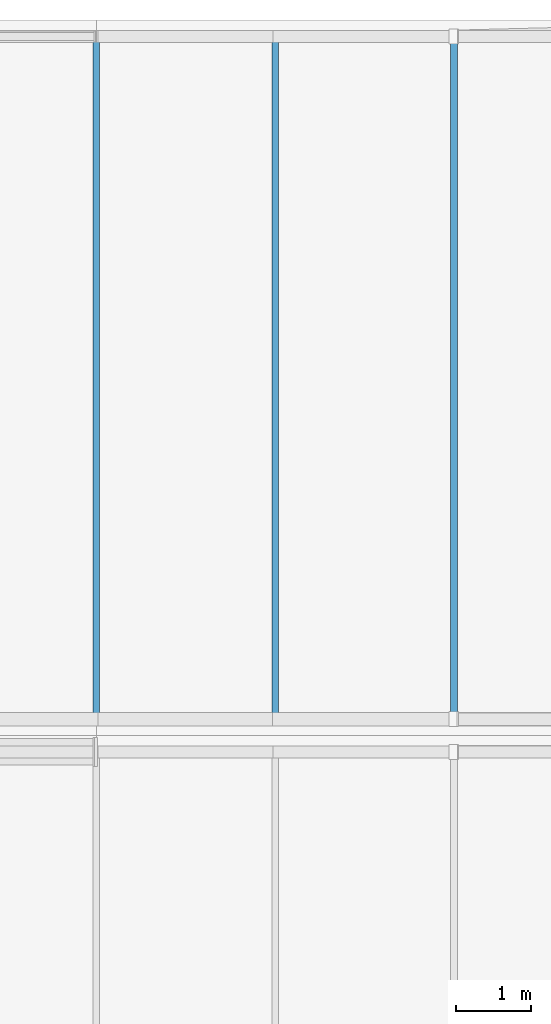
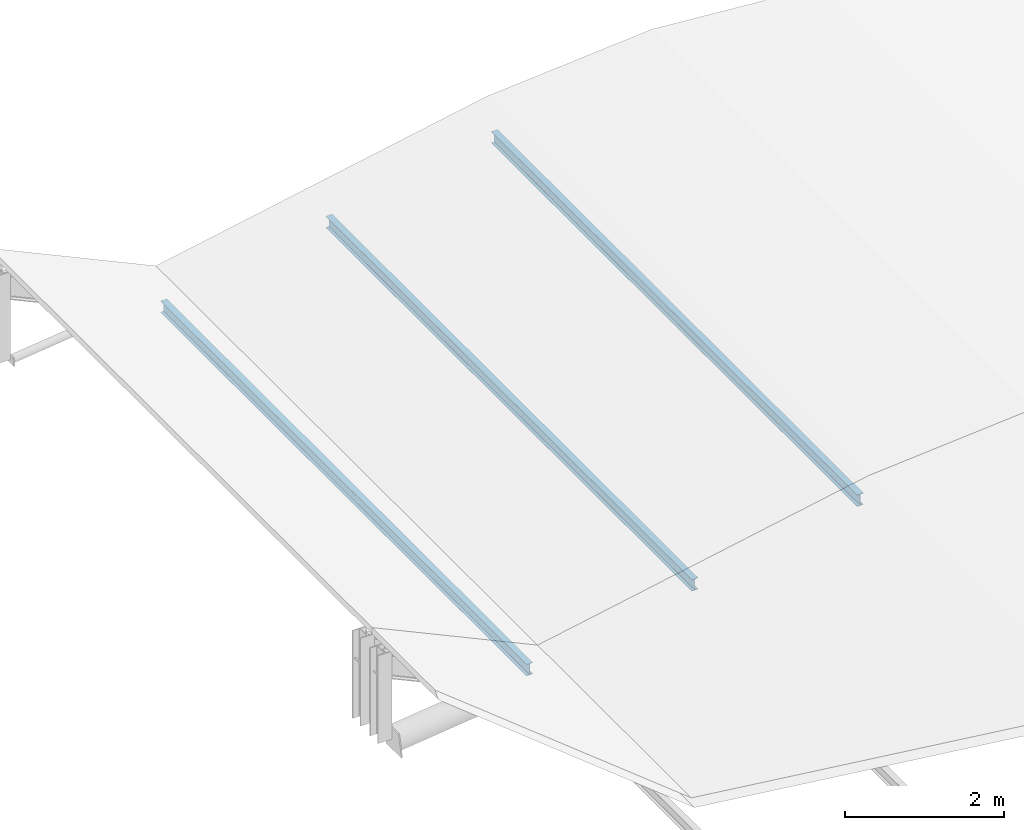
# One storey, part 90 of 170: 3 members.
"""IFC4 building model written with IfcOpenShell, lengths in metres."""

from ifc_helpers import new_model, si_unit, direction, frame, origin, origin_2d, place, context, subcontext, project, spatial, i_section, extrude, material, material_profile, profile_set, type_object, element, save


model = new_model("IFC4")

# Units and contexts
model_context = context("Model", 3, precision=1e-05, world=origin(), true_north=direction((0.0, 1.0)))
body_context = subcontext(model_context, "Body", "Model", "MODEL_VIEW")
ifc_project = project(units=[si_unit("LENGTHUNIT", "METRE"), si_unit("AREAUNIT", "SQUARE_METRE"), si_unit("VOLUMEUNIT", "CUBIC_METRE"), si_unit("PLANEANGLEUNIT", "RADIAN"), si_unit("MASSUNIT", "GRAM", prefix="KILO")], contexts=[model_context])

# Site, building, storey
site_placement = place(None, origin())
site = spatial("IfcSite", under=ifc_project, at=site_placement, CompositionType="ELEMENT")
building_placement = place(site_placement, origin())
building = spatial("IfcBuilding", under=site, at=building_placement, Name="Coralgate Yard Interchange", CompositionType="ELEMENT")
storey_placement = place(building_placement, frame((0.0, 0.0, 6.0)))
storey = spatial("IfcBuildingStorey", under=building, at=storey_placement, Name="L01", CompositionType="ELEMENT", Elevation=6.0)

# Members
ifc_material = material(Name="Off-white architectural structural steel S355J2", Category="steel")
ifc_material_profile = material_profile(ifc_material, i_section(OverallWidth=0.091064453125, OverallDepth=0.179931640625, WebThickness=0.00537109375, FlangeThickness=0.008056640625, FilletRadius=0.009033203125, at=origin_2d()), Name="IPE 180")
ifc_profile_set = profile_set([ifc_material_profile], Name="Off-white architectural structural steel S355J2")
member_type = type_object("IfcMemberType", Name="MB-PR-2", PredefinedType="PURLIN", material=ifc_profile_set)
for number, where, z_axis, x_axis, name in (
    (1, (40.800048828125, 105.800048828125, -0.049560546875), (0.0, 1.0, 0.0), (-1.0, 0.0, 0.0), "Wave-shell purlin R2-W1-2"),
    (2, (43.199951171875, 105.800048828125, 0.409912109375), (0.0, 1.0, 0.0), (-1.0, 0.0, 0.0), "Wave-shell purlin R2-W1-3"),
    (3, (45.60009765625, 105.800048828125, 0.86962890625), (0.0, 1.0, 0.0), (-1.0, 0.0, 0.0), "Wave-shell purlin R2-W1-4"),
):
    element("IfcMember", number, at=place(storey_placement, frame(where, z_axis=z_axis, x_axis=x_axis)), inside=storey, type_object=member_type, Name=name, PredefinedType="PURLIN", context=body_context, shape_type="SweptSolid", body=[
        extrude(i_section(OverallWidth=0.091064453125, OverallDepth=0.179931640625, WebThickness=0.00537109375, FlangeThickness=0.008056640625, FilletRadius=0.009033203125, at=origin_2d()), origin(), (0.0, 0.0, 1.0), 9.199951171875),
    ])

save(model, "model.ifc")
